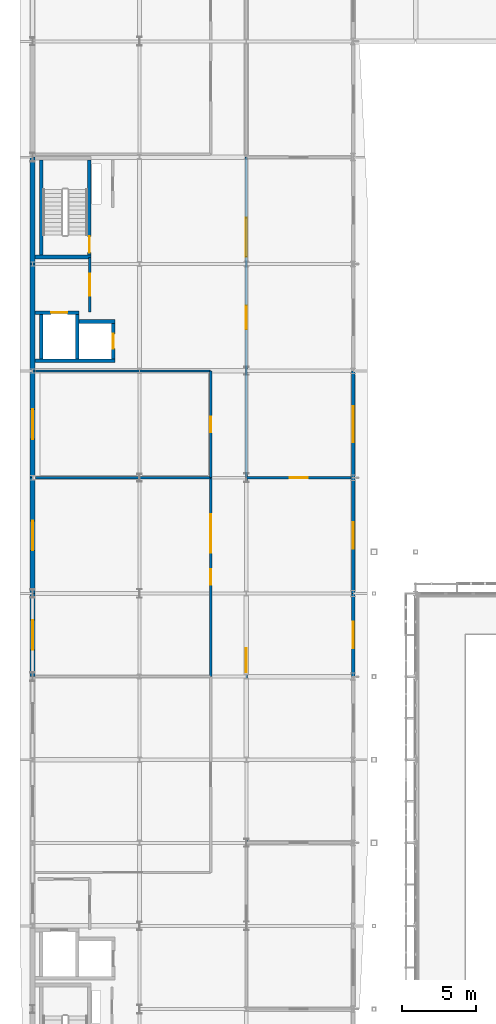
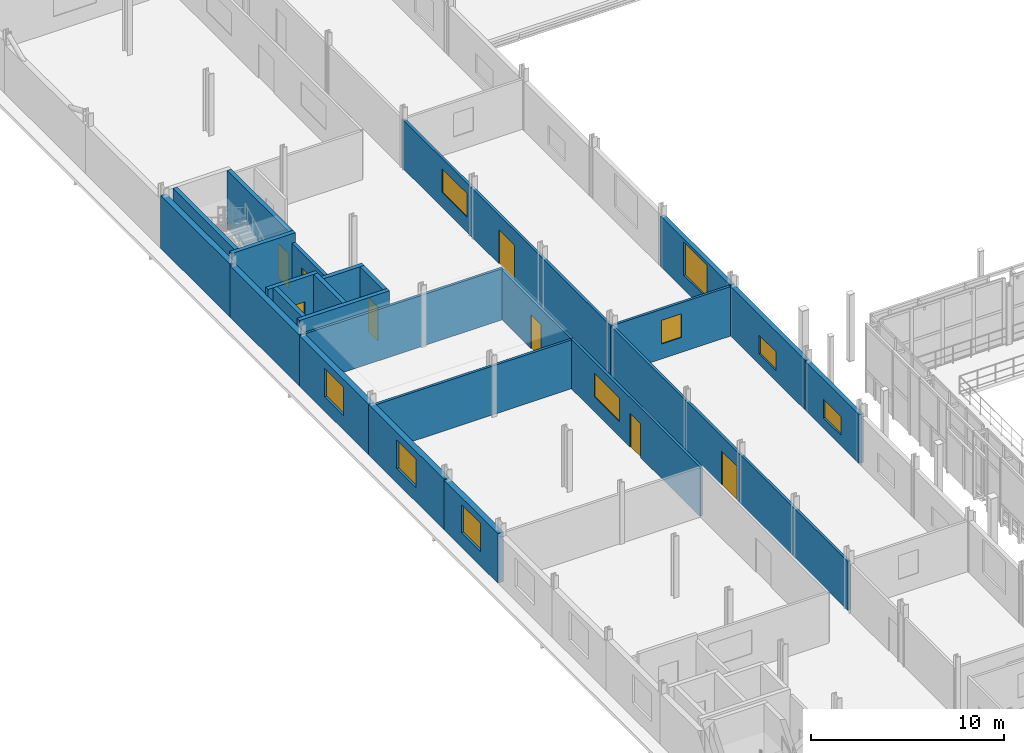
# One storey, part 63 of 78: 25 walls, 9 windows, 8 doors, 17 openings.
"""IFC4 building model written with IfcOpenShell, lengths in metres."""

from ifc_helpers import new_model, si_unit, direction, frame, frame_2d, origin, place, context, subcontext, project, spatial, rectangle, extrude, material, layer, layer_set, type_object, element, fill, save


model = new_model("IFC4")

# Units and contexts
model_context = context("Model", 3, precision=1e-05, world=origin(), true_north=direction((0.0, 1.0)))
body_context = subcontext(model_context, "Body", "Model", "MODEL_VIEW")
ifc_project = project(units=[si_unit("LENGTHUNIT", "METRE"), si_unit("AREAUNIT", "SQUARE_METRE"), si_unit("VOLUMEUNIT", "CUBIC_METRE"), si_unit("PLANEANGLEUNIT", "RADIAN"), si_unit("MASSUNIT", "GRAM", prefix="KILO")], contexts=[model_context])

# Site, building, storey
site_placement = place(None, origin())
site = spatial("IfcSite", under=ifc_project, at=site_placement, CompositionType="ELEMENT")
building_placement = place(site_placement, origin())
building = spatial("IfcBuilding", under=site, at=building_placement, Name="Vinh Khe Railworks Police Headquarters", CompositionType="ELEMENT")
storey_placement = place(building_placement, frame((0.0, 0.0, 13.199951171875)))
storey = spatial("IfcBuildingStorey", under=building, at=storey_placement, Name="L03", CompositionType="ELEMENT", Elevation=13.199951171875)

# Walls
ifc_material_1 = material(Name="Concrete C40/50 (B40)", Category="concrete")
ifc_layer_1 = layer(ifc_material_1, 0.25)
ifc_layer_set_1 = layer_set([ifc_layer_1], Name="Concrete C40/50 (B40)")
wall_type_1 = type_object("IfcWallType", Name="Core Shear Wall 250", PredefinedType="SHEAR", material=ifc_layer_set_1)
wall_1_placement = place(storey_placement, frame((0.75, 81.47509765625, 0.0), z_axis=(0.0, 0.0, 1.0), x_axis=(1.0, 0.0, 0.0)))
element("IfcWall", 1, at=wall_1_placement, inside=storey, type_object=wall_type_1, Name="Core C2 STAIR-S Shear Wall (L03)", PredefinedType="SHEAR", context=body_context, shape_type="SweptSolid", body=[
    extrude(rectangle(XDim=3.800048828125, YDim=0.25, at=frame_2d((1.89990234375, 0.0))), origin(), (0.0, 0.0, 1.0), 3.699951171875),
])
wall_2_placement = place(storey_placement, frame((1.175048828125, 81.60009765625, 0.0), z_axis=(0.0, 0.0, 1.0), x_axis=(0.0, 1.0, 0.0)))
element("IfcWall", 2, at=wall_2_placement, inside=storey, type_object=wall_type_1, Name="Core C2 STAIR-W Shear Wall (L03)", PredefinedType="SHEAR", context=body_context, shape_type="SweptSolid", body=[
    extrude(rectangle(XDim=6.39990234375, YDim=0.25, at=frame_2d((3.199951171875, 0.0))), origin(), (0.0, 0.0, 1.0), 3.699951171875),
])

# Wall, opening, door
wall_3_placement = place(storey_placement, frame((4.425048828125, 81.60009765625, 0.0), z_axis=(0.0, 0.0, 1.0), x_axis=(0.0, 1.0, 0.0)))
wall_3 = element("IfcWall", 3, at=wall_3_placement, inside=storey, type_object=wall_type_1, Name="Core C2 STAIR-E Shear Wall (L03)", PredefinedType="SHEAR", context=body_context, shape_type="SweptSolid", body=[
    extrude(rectangle(XDim=6.39990234375, YDim=0.25, at=frame_2d((3.199951171875, 0.0))), origin(), (0.0, 0.0, 1.0), 3.699951171875),
])
opening_1_placement = place(wall_3_placement, frame((0.169921875, 0.0, 0.0)))
opening_1 = element("IfcOpeningElement", 4, at=opening_1_placement, cuts=wall_3, Name="Opening FD-01", PredefinedType="OPENING", context=body_context, shape_type="SweptSolid", body=[
    extrude(rectangle(XDim=1.10009765625, YDim=2.14990234375, at=frame_2d((0.550048828125, 1.074951171875))), frame((0.0, 0.139892578125, 0.0), z_axis=(0.0, -1.0, 0.0), x_axis=(1.0, 0.0, 0.0)), (0.0, 0.0, 1.0), 0.27978515625),
])
ifc_material_2 = material(Name="Painted galvanised steel", Category="steel")
door_type_1 = type_object("IfcDoorType", Name="FD-1100x2150", OperationType="NOTDEFINED", PredefinedType="DOOR", material=ifc_material_2)
door_1_placement = place(opening_1_placement, frame((1.10009765625, 0.0, 0.0), z_axis=(0.0, 0.0, 1.0), x_axis=(-1.0, 0.0, 0.0)))
door_1 = element("IfcDoor", 5, at=door_1_placement, inside=storey, type_object=door_type_1, Name="Escape Stair ST-02 Fire Door L03", OperationType="SINGLE_SWING_RIGHT", OverallHeight=2.14990234375, OverallWidth=1.10009765625, PredefinedType="DOOR", context=body_context, shape_type="SweptSolid", body=[
    extrude(rectangle(XDim=1.10009765625, YDim=2.14990234375, at=frame_2d((0.550048828125, 1.074951171875))), frame((0.0, 0.02490234375, 0.0), z_axis=(0.0, -1.0, 0.0), x_axis=(1.0, 0.0, 0.0)), (0.0, 0.0, 1.0), 0.050048828125),
])
fill(opening_1, door_1)

# Wall
wall_4_placement = place(storey_placement, frame((0.75, 74.47509765625, 0.0), z_axis=(0.0, 0.0, 1.0), x_axis=(1.0, 0.0, 0.0)))
element("IfcWall", 6, at=wall_4_placement, inside=storey, type_object=wall_type_1, Name="Core C2 FL-S Lift Shaft Wall (L03)", PredefinedType="SHEAR", context=body_context, shape_type="SweptSolid", body=[
    extrude(rectangle(XDim=5.39990234375, YDim=0.25, at=frame_2d((2.699951171875, 0.0))), origin(), (0.0, 0.0, 1.0), 3.699951171875),
])

# Wall, opening, door
wall_5_placement = place(storey_placement, frame((0.75, 77.72509765625, 0.0), z_axis=(0.0, 0.0, 1.0), x_axis=(1.0, 0.0, 0.0)))
wall_5 = element("IfcWall", 7, at=wall_5_placement, inside=storey, type_object=wall_type_1, Name="Core C2 FL-N Lift Shaft Wall (L03)", PredefinedType="SHEAR", context=body_context, shape_type="SweptSolid", body=[
    extrude(rectangle(XDim=2.97509765625, YDim=0.25, at=frame_2d((1.487548828125, 0.0))), origin(), (0.0, 0.0, 1.0), 3.699951171875),
])
opening_2_placement = place(wall_5_placement, frame((1.10009765625, 0.0, 0.0)))
opening_2 = element("IfcOpeningElement", 8, at=opening_2_placement, cuts=wall_5, Name="Opening LD-01", PredefinedType="OPENING", context=body_context, shape_type="SweptSolid", body=[
    extrude(rectangle(XDim=1.10009765625, YDim=2.14990234375, at=frame_2d((0.550048828125, 1.074951171875))), frame((0.0, 0.139892578125, 0.0), z_axis=(0.0, -1.0, 0.0), x_axis=(1.0, 0.0, 0.0)), (0.0, 0.0, 1.0), 0.27978515625),
])
door_type_2 = type_object("IfcDoorType", Name="LD-FF-1100", OperationType="SLIDING_TO_LEFT", PredefinedType="DOOR", material=ifc_material_2)
door_2_placement = place(opening_2_placement, origin())
door_2 = element("IfcDoor", 9, at=door_2_placement, inside=storey, type_object=door_type_2, Name="Firefighting Lift Landing Door FL-02 L03", OperationType="SLIDING_TO_LEFT", OverallHeight=2.14990234375, OverallWidth=1.10009765625, PredefinedType="DOOR", context=body_context, shape_type="SweptSolid", body=[
    extrude(rectangle(XDim=1.10009765625, YDim=2.14990234375, at=frame_2d((0.550048828125, 1.074951171875))), frame((0.0, 0.02490234375, 0.0), z_axis=(0.0, -1.0, 0.0), x_axis=(1.0, 0.0, 0.0)), (0.0, 0.0, 1.0), 0.050048828125),
])
fill(opening_2, door_2)

# Walls
wall_6_placement = place(storey_placement, frame((3.72509765625, 77.125, 0.0), z_axis=(0.0, 0.0, 1.0), x_axis=(1.0, 0.0, 0.0)))
element("IfcWall", 10, at=wall_6_placement, inside=storey, type_object=wall_type_1, Name="Core C2 PL-N Lift Shaft Wall (L03)", PredefinedType="SHEAR", context=body_context, shape_type="SweptSolid", body=[
    extrude(rectangle(XDim=2.4248046875, YDim=0.25, at=frame_2d((1.21240234375, 0.0))), origin(), (0.0, 0.0, 1.0), 3.699951171875),
])
for number, where, z_axis, x_axis, name in (
    (11, (1.175048828125, 74.60009765625, 0.0), (0.0, 0.0, 1.0), (0.0, 1.0, 0.0), "Core C2 FL-W Lift Shaft Wall (L03)"),
    (12, (3.60009765625, 74.60009765625, 0.0), (0.0, 0.0, 1.0), (0.0, 1.0, 0.0), "Core C2 LIFT-DIV Lift Shaft Wall (L03)"),
):
    element("IfcWall", number, at=place(storey_placement, frame(where, z_axis=z_axis, x_axis=x_axis)), inside=storey, type_object=wall_type_1, Name=name, PredefinedType="SHEAR", context=body_context, shape_type="SweptSolid", body=[
        extrude(rectangle(XDim=3.0, YDim=0.25, at=frame_2d((1.5, 0.0))), origin(), (0.0, 0.0, 1.0), 3.699951171875),
    ])

# Wall, opening, door
wall_7_placement = place(storey_placement, frame((6.02490234375, 74.60009765625, 0.0), z_axis=(0.0, 0.0, 1.0), x_axis=(0.0, 1.0, 0.0)))
wall_7 = element("IfcWall", 13, at=wall_7_placement, inside=storey, type_object=wall_type_1, Name="Core C2 PL-E Lift Shaft Wall (L03)", PredefinedType="SHEAR", context=body_context, shape_type="SweptSolid", body=[
    extrude(rectangle(XDim=2.39990234375, YDim=0.25, at=frame_2d((1.199951171875, 0.0))), origin(), (0.0, 0.0, 1.0), 3.699951171875),
])
opening_3_placement = place(wall_7_placement, frame((0.699951171875, 0.0, 0.0)))
opening_3 = element("IfcOpeningElement", 14, at=opening_3_placement, cuts=wall_7, Name="Opening LD-02", PredefinedType="OPENING", context=body_context, shape_type="SweptSolid", body=[
    extrude(rectangle(XDim=1.0, YDim=2.14990234375, at=frame_2d((0.5, 1.074951171875))), frame((0.0, 0.139892578125, 0.0), z_axis=(0.0, -1.0, 0.0), x_axis=(1.0, 0.0, 0.0)), (0.0, 0.0, 1.0), 0.27978515625),
])
door_type_3 = type_object("IfcDoorType", Name="LD-PAX-1000", OperationType="SLIDING_TO_RIGHT", PredefinedType="DOOR", material=ifc_material_2)
door_3_placement = place(opening_3_placement, frame((1.0, 0.0, 0.0), z_axis=(0.0, 0.0, 1.0), x_axis=(-1.0, 0.0, 0.0)))
door_3 = element("IfcDoor", 15, at=door_3_placement, inside=storey, type_object=door_type_3, Name="Passenger Lift Landing Door PL-02 L03", OperationType="SLIDING_TO_RIGHT", OverallHeight=2.14990234375, OverallWidth=1.0, PredefinedType="DOOR", context=body_context, shape_type="SweptSolid", body=[
    extrude(rectangle(XDim=1.0, YDim=2.14990234375, at=frame_2d((0.5, 1.074951171875))), frame((0.0, 0.02490234375, 0.0), z_axis=(0.0, -1.0, 0.0), x_axis=(1.0, 0.0, 0.0)), (0.0, 0.0, 1.0), 0.050048828125),
])
fill(opening_3, door_3)

# Wall, opening, window
ifc_material_3 = material(Name="Clay brickwork", Category="masonry")
ifc_layer_2 = layer(ifc_material_3, 0.260009765625)
ifc_layer_set_2 = layer_set([ifc_layer_2], Name="Clay brickwork")
wall_type_2 = type_object("IfcWallType", Name="EW-BRK-260", PredefinedType="SOLIDWALL", material=ifc_layer_set_2)
wall_8_placement = place(storey_placement, frame((22.199951171875, 53.199951171875, 0.0), z_axis=(0.0, 0.0, 1.0), x_axis=(0.0, 1.0, 0.0)))
wall_8 = element("IfcWall", 16, at=wall_8_placement, inside=storey, type_object=wall_type_2, Name="Exterior Brick Wall EW-L03-V5E-07", PredefinedType="SOLIDWALL", context=body_context, shape_type="SweptSolid", body=[
    extrude(rectangle(XDim=5.60009765625, YDim=0.260009765625, at=frame_2d((2.800048828125, 0.0))), origin(), (0.0, 0.0, 1.0), 3.094970703125),
])
opening_4_placement = place(wall_8_placement, frame((1.89990234375, 0.0, 0.64990234375)))
opening_4 = element("IfcOpeningElement", 17, at=opening_4_placement, cuts=wall_8, Name="Opening WN-08", PredefinedType="OPENING", context=body_context, shape_type="SweptSolid", body=[
    extrude(rectangle(XDim=1.800048828125, YDim=1.199951171875, at=frame_2d((0.89990234375, 0.60009765625))), frame((0.0, 0.14501953125, 0.0), z_axis=(0.0, -1.0, 0.0), x_axis=(1.0, 0.0, 0.0)), (0.0, 0.0, 1.0), 0.289794921875),
])
ifc_material_4 = material(Name="Double-glazed solar-control glass in dark steel frame", Category="steel")
window_type_1 = type_object("IfcWindowType", Name="WIN-WN-08", PartitioningType="SINGLE_PANEL", PredefinedType="WINDOW", material=ifc_material_4)
window_1_placement = place(opening_4_placement, origin())
window_1 = element("IfcWindow", 18, at=window_1_placement, inside=storey, type_object=window_type_1, Name="Casement Window WN-08", OverallHeight=1.199951171875, OverallWidth=1.800048828125, PartitioningType="SINGLE_PANEL", PredefinedType="WINDOW", context=body_context, shape_type="SweptSolid", body=[
    extrude(rectangle(XDim=1.800048828125, YDim=1.199951171875, at=frame_2d((0.89990234375, 0.60009765625))), frame((0.0, 0.030029296875, 0.0), z_axis=(0.0, -1.0, 0.0), x_axis=(1.0, 0.0, 0.0)), (0.0, 0.0, 1.0), 0.06005859375),
])
fill(opening_4, window_1)

wall_9_placement = place(storey_placement, frame((22.199951171875, 58.800048828125, 0.0), z_axis=(0.0, 0.0, 1.0), x_axis=(0.0, 1.0, 0.0)))
wall_9 = element("IfcWall", 19, at=wall_9_placement, inside=storey, type_object=wall_type_2, Name="Exterior Brick Wall EW-L03-V5E-08", PredefinedType="SOLIDWALL", context=body_context, shape_type="SweptSolid", body=[
    extrude(rectangle(XDim=7.800048828125, YDim=0.260009765625, at=frame_2d((3.89990234375, 0.0))), origin(), (0.0, 0.0, 1.0), 3.14501953125),
])
opening_5_placement = place(wall_9_placement, frame((3.0, 0.0, 0.64990234375)))
opening_5 = element("IfcOpeningElement", 20, at=opening_5_placement, cuts=wall_9, Name="Opening WN-08", PredefinedType="OPENING", context=body_context, shape_type="SweptSolid", body=[
    extrude(rectangle(XDim=1.800048828125, YDim=1.199951171875, at=frame_2d((0.89990234375, 0.60009765625))), frame((0.0, 0.14501953125, 0.0), z_axis=(0.0, -1.0, 0.0), x_axis=(1.0, 0.0, 0.0)), (0.0, 0.0, 1.0), 0.289794921875),
])
window_2_placement = place(opening_5_placement, origin())
window_2 = element("IfcWindow", 21, at=window_2_placement, inside=storey, type_object=window_type_1, Name="Casement Window WN-08", OverallHeight=1.199951171875, OverallWidth=1.800048828125, PartitioningType="SINGLE_PANEL", PredefinedType="WINDOW", context=body_context, shape_type="SweptSolid", body=[
    extrude(rectangle(XDim=1.800048828125, YDim=1.199951171875, at=frame_2d((0.89990234375, 0.60009765625))), frame((0.0, 0.030029296875, 0.0), z_axis=(0.0, -1.0, 0.0), x_axis=(1.0, 0.0, 0.0)), (0.0, 0.0, 1.0), 0.06005859375),
])
fill(opening_5, window_2)

wall_10_placement = place(storey_placement, frame((22.199951171875, 66.60009765625, 0.0), z_axis=(0.0, 0.0, 1.0), x_axis=(0.0, 1.0, 0.0)))
wall_10 = element("IfcWall", 22, at=wall_10_placement, inside=storey, type_object=wall_type_2, Name="Exterior Brick Wall EW-L03-V5E-09", PredefinedType="SOLIDWALL", context=body_context, shape_type="SweptSolid", body=[
    extrude(rectangle(XDim=7.199951171875, YDim=0.260009765625, at=frame_2d((3.60009765625, 0.0))), origin(), (0.0, 0.0, 1.0), 3.195068359375),
])
opening_6_placement = place(wall_10_placement, frame((2.39990234375, 0.0, 0.89990234375)))
opening_6 = element("IfcOpeningElement", 23, at=opening_6_placement, cuts=wall_10, Name="Opening WN-02", PredefinedType="OPENING", context=body_context, shape_type="SweptSolid", body=[
    extrude(rectangle(XDim=2.39990234375, YDim=2.10009765625, at=frame_2d((1.199951171875, 1.050048828125))), frame((0.0, 0.14501953125, 0.0), z_axis=(0.0, -1.0, 0.0), x_axis=(1.0, 0.0, 0.0)), (0.0, 0.0, 1.0), 0.289794921875),
])
window_type_2 = type_object("IfcWindowType", Name="WIN-WN-02", PartitioningType="DOUBLE_PANEL_VERTICAL", PredefinedType="WINDOW", material=ifc_material_4)
window_3_placement = place(opening_6_placement, origin())
window_3 = element("IfcWindow", 24, at=window_3_placement, inside=storey, type_object=window_type_2, Name="Casement Window WN-02", OverallHeight=2.10009765625, OverallWidth=2.39990234375, PartitioningType="SINGLE_PANEL", PredefinedType="WINDOW", context=body_context, shape_type="SweptSolid", body=[
    extrude(rectangle(XDim=2.39990234375, YDim=2.10009765625, at=frame_2d((1.199951171875, 1.050048828125))), frame((0.0, 0.030029296875, 0.0), z_axis=(0.0, -1.0, 0.0), x_axis=(1.0, 0.0, 0.0)), (0.0, 0.0, 1.0), 0.06005859375),
])
fill(opening_6, window_3)

ifc_layer_3 = layer(ifc_material_3, 0.340087890625)
ifc_layer_set_3 = layer_set([ifc_layer_3], Name="Clay brickwork")
wall_type_3 = type_object("IfcWallType", Name="EW-BRK-340", PredefinedType="SOLIDWALL", material=ifc_layer_set_3)
wall_11_placement = place(storey_placement, frame((0.60009765625, 53.199951171875, 0.0), z_axis=(0.0, 0.0, 1.0), x_axis=(0.0, 1.0, 0.0)))
wall_11 = element("IfcWall", 25, at=wall_11_placement, inside=storey, type_object=wall_type_3, Name="Exterior Brick Wall EW-L03-V5W-07", PredefinedType="SOLIDWALL", context=body_context, shape_type="SweptSolid", body=[
    extrude(rectangle(XDim=5.60009765625, YDim=0.340087890625, at=frame_2d((2.800048828125, 0.0))), origin(), (0.0, 0.0, 1.0), 3.14501953125),
])
opening_7_placement = place(wall_11_placement, frame((1.800048828125, 0.0, 0.89990234375)))
opening_7 = element("IfcOpeningElement", 26, at=opening_7_placement, cuts=wall_11, Name="Opening WN-04", PredefinedType="OPENING", context=body_context, shape_type="SweptSolid", body=[
    extrude(rectangle(XDim=2.0, YDim=1.800048828125, at=frame_2d((1.0, 0.89990234375))), frame((0.0, 0.18505859375, 0.0), z_axis=(0.0, -1.0, 0.0), x_axis=(1.0, 0.0, 0.0)), (0.0, 0.0, 1.0), 0.369873046875),
])
window_type_3 = type_object("IfcWindowType", Name="WIN-WN-04", PartitioningType="DOUBLE_PANEL_VERTICAL", PredefinedType="WINDOW", material=ifc_material_4)
window_4_placement = place(opening_7_placement, origin())
window_4 = element("IfcWindow", 27, at=window_4_placement, inside=storey, type_object=window_type_3, Name="Casement Window WN-04", OverallHeight=1.800048828125, OverallWidth=2.0, PartitioningType="SINGLE_PANEL", PredefinedType="WINDOW", context=body_context, shape_type="SweptSolid", body=[
    extrude(rectangle(XDim=2.0, YDim=1.800048828125, at=frame_2d((1.0, 0.89990234375))), frame((0.0, 0.030029296875, 0.0), z_axis=(0.0, -1.0, 0.0), x_axis=(1.0, 0.0, 0.0)), (0.0, 0.0, 1.0), 0.06005859375),
])
fill(opening_7, window_4)

wall_12_placement = place(storey_placement, frame((0.60009765625, 58.800048828125, 0.0), z_axis=(0.0, 0.0, 1.0), x_axis=(0.0, 1.0, 0.0)))
wall_12 = element("IfcWall", 28, at=wall_12_placement, inside=storey, type_object=wall_type_3, Name="Exterior Brick Wall EW-L03-V5W-08", PredefinedType="SOLIDWALL", context=body_context, shape_type="SweptSolid", body=[
    extrude(rectangle(XDim=7.800048828125, YDim=0.340087890625, at=frame_2d((3.89990234375, 0.0))), origin(), (0.0, 0.0, 1.0), 3.195068359375),
])
opening_8_placement = place(wall_12_placement, frame((2.89990234375, 0.0, 0.89990234375)))
opening_8 = element("IfcOpeningElement", 29, at=opening_8_placement, cuts=wall_12, Name="Opening WN-04", PredefinedType="OPENING", context=body_context, shape_type="SweptSolid", body=[
    extrude(rectangle(XDim=2.0, YDim=1.800048828125, at=frame_2d((1.0, 0.89990234375))), frame((0.0, 0.18505859375, 0.0), z_axis=(0.0, -1.0, 0.0), x_axis=(1.0, 0.0, 0.0)), (0.0, 0.0, 1.0), 0.369873046875),
])
window_5_placement = place(opening_8_placement, origin())
window_5 = element("IfcWindow", 30, at=window_5_placement, inside=storey, type_object=window_type_3, Name="Casement Window WN-04", OverallHeight=1.800048828125, OverallWidth=2.0, PartitioningType="SINGLE_PANEL", PredefinedType="WINDOW", context=body_context, shape_type="SweptSolid", body=[
    extrude(rectangle(XDim=2.0, YDim=1.800048828125, at=frame_2d((1.0, 0.89990234375))), frame((0.0, 0.030029296875, 0.0), z_axis=(0.0, -1.0, 0.0), x_axis=(1.0, 0.0, 0.0)), (0.0, 0.0, 1.0), 0.06005859375),
])
fill(opening_8, window_5)

wall_13_placement = place(storey_placement, frame((0.60009765625, 66.60009765625, 0.0), z_axis=(0.0, 0.0, 1.0), x_axis=(0.0, 1.0, 0.0)))
wall_13 = element("IfcWall", 31, at=wall_13_placement, inside=storey, type_object=wall_type_3, Name="Exterior Brick Wall EW-L03-V5W-09", PredefinedType="SOLIDWALL", context=body_context, shape_type="SweptSolid", body=[
    extrude(rectangle(XDim=7.199951171875, YDim=0.340087890625, at=frame_2d((3.60009765625, 0.0))), origin(), (0.0, 0.0, 1.0), 3.195068359375),
])
opening_9_placement = place(wall_13_placement, frame((2.60009765625, 0.0, 0.89990234375)))
opening_9 = element("IfcOpeningElement", 32, at=opening_9_placement, cuts=wall_13, Name="Opening WN-04", PredefinedType="OPENING", context=body_context, shape_type="SweptSolid", body=[
    extrude(rectangle(XDim=2.0, YDim=1.800048828125, at=frame_2d((1.0, 0.89990234375))), frame((0.0, 0.18505859375, 0.0), z_axis=(0.0, -1.0, 0.0), x_axis=(1.0, 0.0, 0.0)), (0.0, 0.0, 1.0), 0.369873046875),
])
window_6_placement = place(opening_9_placement, origin())
window_6 = element("IfcWindow", 33, at=window_6_placement, inside=storey, type_object=window_type_3, Name="Casement Window WN-04", OverallHeight=1.800048828125, OverallWidth=2.0, PartitioningType="SINGLE_PANEL", PredefinedType="WINDOW", context=body_context, shape_type="SweptSolid", body=[
    extrude(rectangle(XDim=2.0, YDim=1.800048828125, at=frame_2d((1.0, 0.89990234375))), frame((0.0, 0.030029296875, 0.0), z_axis=(0.0, -1.0, 0.0), x_axis=(1.0, 0.0, 0.0)), (0.0, 0.0, 1.0), 0.06005859375),
])
fill(opening_9, window_6)

# Walls
wall_14_placement = place(storey_placement, frame((0.60009765625, 73.800048828125, 0.0), z_axis=(0.0, 0.0, 1.0), x_axis=(0.0, 1.0, 0.0)))
element("IfcWall", 34, at=wall_14_placement, inside=storey, type_object=wall_type_3, Name="Exterior Brick Wall EW-L03-V5W-10", PredefinedType="SOLIDWALL", context=body_context, shape_type="SweptSolid", body=[
    extrude(rectangle(XDim=7.199951171875, YDim=0.340087890625, at=frame_2d((3.60009765625, 0.0))), origin(), (0.0, 0.0, 1.0), 3.2451171875),
])
wall_15_placement = place(storey_placement, frame((0.60009765625, 81.0, 0.0), z_axis=(0.0, 0.0, 1.0), x_axis=(0.0, 1.0, 0.0)))
element("IfcWall", 35, at=wall_15_placement, inside=storey, type_object=wall_type_3, Name="Exterior Brick Wall EW-L03-V5W-11", PredefinedType="SOLIDWALL", context=body_context, shape_type="SweptSolid", body=[
    extrude(rectangle(XDim=7.199951171875, YDim=0.340087890625, at=frame_2d((3.60009765625, 0.0))), origin(), (0.0, 0.0, 1.0), 3.344970703125),
])

# Wall, opening, door
ifc_material_5 = material(Name="Autoclaved aerated concrete blockwork", Category="masonry")
ifc_layer_4 = layer(ifc_material_5, 0.199951171875)
ifc_layer_set_4 = layer_set([ifc_layer_4], Name="Autoclaved aerated concrete blockwork")
wall_type_4 = type_object("IfcWallType", Name="IW-BLK-200", PredefinedType="PARTITIONING", material=ifc_layer_set_4)
wall_16_placement = place(storey_placement, frame((4.449951171875, 77.75, 0.0), z_axis=(0.0, 0.0, 1.0), x_axis=(0.0, 1.0, 0.0)))
wall_16 = element("IfcWall", 36, at=wall_16_placement, inside=storey, type_object=wall_type_4, Name="Interior Partition W-FFL-C2-E-L03", PredefinedType="PARTITIONING", context=body_context, shape_type="SweptSolid", body=[
    extrude(rectangle(XDim=3.699951171875, YDim=0.199951171875, at=frame_2d((1.85009765625, 0.0))), origin(), (0.0, 0.0, 1.0), 3.094970703125),
])
opening_10_placement = place(wall_16_placement, frame((1.10009765625, 0.0, 0.0)))
opening_10 = element("IfcOpeningElement", 37, at=opening_10_placement, cuts=wall_16, Name="Opening FD-02", PredefinedType="OPENING", context=body_context, shape_type="SweptSolid", body=[
    extrude(rectangle(XDim=1.5, YDim=2.14990234375, at=frame_2d((0.75, 1.074951171875))), frame((0.0, 0.11474609375, 0.0), z_axis=(0.0, -1.0, 0.0), x_axis=(1.0, 0.0, 0.0)), (0.0, 0.0, 1.0), 0.229736328125),
])
door_type_4 = type_object("IfcDoorType", Name="FD-1500x2150", OperationType="DOUBLE_DOOR_SINGLE_SWING", PredefinedType="DOOR", material=ifc_material_2)
door_4_placement = place(opening_10_placement, origin())
door_4 = element("IfcDoor", 38, at=door_4_placement, inside=storey, type_object=door_type_4, Name="Firefighting Lobby Fire Door", OperationType="DOUBLE_DOOR_SINGLE_SWING", OverallHeight=2.14990234375, OverallWidth=1.5, PredefinedType="DOOR", context=body_context, shape_type="SweptSolid", body=[
    extrude(rectangle(XDim=1.5, YDim=2.14990234375, at=frame_2d((0.75, 1.074951171875))), frame((0.0, 0.02490234375, 0.0), z_axis=(0.0, -1.0, 0.0), x_axis=(1.0, 0.0, 0.0)), (0.0, 0.0, 1.0), 0.050048828125),
])
fill(opening_10, door_4)

# Walls
ifc_material_6 = material(Name="Gypsum plasterboard on steel stud", Category="steel")
ifc_layer_5 = layer(ifc_material_6, 0.1201171875)
ifc_layer_set_5 = layer_set([ifc_layer_5], Name="Gypsum plasterboard on steel stud")
wall_type_5 = type_object("IfcWallType", Name="IW-PART-120", PredefinedType="PARTITIONING", material=ifc_layer_set_5)
wall_17_placement = place(storey_placement, frame((0.780029296875, 66.60009765625, 0.0), z_axis=(0.0, 0.0, 1.0), x_axis=(1.0, 0.0, 0.0)))
element("IfcWall", 39, at=wall_17_placement, inside=storey, type_object=wall_type_5, Name="Interior Partition W-L03-V5-INV3D-DIV", PredefinedType="PARTITIONING", context=body_context, shape_type="SweptSolid", body=[
    extrude(rectangle(XDim=11.820068359375, YDim=0.14990234375, at=frame_2d((5.91015625, 0.0))), origin(), (0.0, 0.0, 1.0), 3.094970703125),
])
wall_18_placement = place(storey_placement, frame((0.780029296875, 73.800048828125, 0.0), z_axis=(0.0, 0.0, 1.0), x_axis=(1.0, 0.0, 0.0)))
element("IfcWall", 40, at=wall_18_placement, inside=storey, type_object=wall_type_5, Name="Interior Partition W-L03-V5-INV3D-ENDN", PredefinedType="PARTITIONING", context=body_context, shape_type="SweptSolid", body=[
    extrude(rectangle(XDim=11.820068359375, YDim=0.14990234375, at=frame_2d((5.91015625, 0.0))), origin(), (0.0, 0.0, 1.0), 3.2451171875),
])

# Wall, opening, window
wall_19_placement = place(storey_placement, frame((15.0, 66.60009765625, 0.0), z_axis=(0.0, 0.0, 1.0), x_axis=(1.0, 0.0, 0.0)))
wall_19 = element("IfcWall", 41, at=wall_19_placement, inside=storey, type_object=wall_type_5, Name="Interior Partition W-L03-V5-VER3-DIV", PredefinedType="PARTITIONING", context=body_context, shape_type="SweptSolid", body=[
    extrude(rectangle(XDim=7.06005859375, YDim=0.14990234375, at=frame_2d((3.530029296875, 0.0))), origin(), (0.0, 0.0, 1.0), 3.14501953125),
])
opening_11_placement = place(wall_19_placement, frame((2.929931640625, 0.0, 0.949951171875)))
opening_11 = element("IfcOpeningElement", 42, at=opening_11_placement, cuts=wall_19, Name="Opening WN-10", PredefinedType="OPENING", context=body_context, shape_type="SweptSolid", body=[
    extrude(rectangle(XDim=1.199951171875, YDim=1.5, at=frame_2d((0.60009765625, 0.75))), frame((0.0, 0.08984375, 0.0), z_axis=(0.0, -1.0, 0.0), x_axis=(1.0, 0.0, 0.0)), (0.0, 0.0, 1.0), 0.1796875),
])
window_type_4 = type_object("IfcWindowType", Name="WIN-WN-10", PartitioningType="SINGLE_PANEL", PredefinedType="WINDOW", material=ifc_material_4)
window_7_placement = place(opening_11_placement, origin())
window_7 = element("IfcWindow", 43, at=window_7_placement, inside=storey, type_object=window_type_4, Name="Interior Acoustic Vision Window WN-10", OverallHeight=1.5, OverallWidth=1.199951171875, PartitioningType="SINGLE_PANEL", PredefinedType="WINDOW", context=body_context, shape_type="SweptSolid", body=[
    extrude(rectangle(XDim=1.199951171875, YDim=1.5, at=frame_2d((0.60009765625, 0.75))), frame((0.0, 0.030029296875, 0.0), z_axis=(0.0, -1.0, 0.0), x_axis=(1.0, 0.0, 0.0)), (0.0, 0.0, 1.0), 0.06005859375),
])
fill(opening_11, window_7)

# Wall, openings, door, window
ifc_material_7 = material(Name="Gypsum plasterboard on acoustic steel stud", Category="steel")
ifc_layer_6 = layer(ifc_material_7, 0.14990234375)
ifc_layer_set_6 = layer_set([ifc_layer_6], Name="Gypsum plasterboard on acoustic steel stud")
wall_type_6 = type_object("IfcWallType", Name="IW-PART-150", PredefinedType="PARTITIONING", material=ifc_layer_set_6)
wall_20_placement = place(storey_placement, frame((12.60009765625, 53.199951171875, 0.0), z_axis=(0.0, 0.0, 1.0), x_axis=(0.0, 1.0, 0.0)))
wall_20 = element("IfcWall", 44, at=wall_20_placement, inside=storey, type_object=wall_type_6, Name="Interior Partition W-L03-V5-INV3C-CW", PredefinedType="PARTITIONING", context=body_context, shape_type="SweptSolid", body=[
    extrude(rectangle(XDim=13.400146484375, YDim=0.14990234375, at=frame_2d((6.7001953125, 0.0))), origin(), (0.0, 0.0, 1.0), 3.14501953125),
])
opening_12_placement = place(wall_20_placement, frame((6.175048828125, 0.0, 0.0)))
opening_12 = element("IfcOpeningElement", 45, at=opening_12_placement, cuts=wall_20, Name="Opening D-02", PredefinedType="OPENING", context=body_context, shape_type="SweptSolid", body=[
    extrude(rectangle(XDim=1.050048828125, YDim=2.14990234375, at=frame_2d((0.52490234375, 1.074951171875))), frame((0.0, 0.08984375, 0.0), z_axis=(0.0, -1.0, 0.0), x_axis=(1.0, 0.0, 0.0)), (0.0, 0.0, 1.0), 0.1796875),
])
opening_13_placement = place(wall_20_placement, frame((8.347900390625, 0.0, 0.949951171875)))
opening_13 = element("IfcOpeningElement", 46, at=opening_13_placement, cuts=wall_20, Name="Opening WN-07", PredefinedType="OPENING", context=body_context, shape_type="SweptSolid", body=[
    extrude(rectangle(XDim=2.60009765625, YDim=1.5, at=frame_2d((1.300048828125, 0.75))), frame((0.0, 0.08984375, 0.0), z_axis=(0.0, -1.0, 0.0), x_axis=(1.0, 0.0, 0.0)), (0.0, 0.0, 1.0), 0.1796875),
])
ifc_material_8 = material(Name="Seasoned hardwood timber", Category="wood")
door_type_5 = type_object("IfcDoorType", Name="ID-1050x2150", OperationType="NOTDEFINED", PredefinedType="DOOR", material=ifc_material_8)
door_5_placement = place(opening_12_placement, origin())
door_5 = element("IfcDoor", 47, at=door_5_placement, inside=storey, type_object=door_type_5, Name="Missing Persons Investigation Office Door", OperationType="SINGLE_SWING_RIGHT", OverallHeight=2.14990234375, OverallWidth=1.050048828125, PredefinedType="DOOR", context=body_context, shape_type="SweptSolid", body=[
    extrude(rectangle(XDim=1.050048828125, YDim=2.14990234375, at=frame_2d((0.52490234375, 1.074951171875))), frame((0.0, 0.02490234375, 0.0), z_axis=(0.0, -1.0, 0.0), x_axis=(1.0, 0.0, 0.0)), (0.0, 0.0, 1.0), 0.050048828125),
])
fill(opening_12, door_5)
window_type_5 = type_object("IfcWindowType", Name="WIN-WN-07", PartitioningType="DOUBLE_PANEL_HORIZONTAL", PredefinedType="WINDOW", material=ifc_material_4)
window_8_placement = place(opening_13_placement, origin())
window_8 = element("IfcWindow", 48, at=window_8_placement, inside=storey, type_object=window_type_5, Name="Interior Acoustic Vision Window WN-07", OverallHeight=1.5, OverallWidth=2.60009765625, PartitioningType="SINGLE_PANEL", PredefinedType="WINDOW", context=body_context, shape_type="SweptSolid", body=[
    extrude(rectangle(XDim=2.60009765625, YDim=1.5, at=frame_2d((1.300048828125, 0.75))), frame((0.0, 0.030029296875, 0.0), z_axis=(0.0, -1.0, 0.0), x_axis=(1.0, 0.0, 0.0)), (0.0, 0.0, 1.0), 0.06005859375),
])
fill(opening_13, window_8)

# Wall, opening, door
wall_21_placement = place(storey_placement, frame((12.60009765625, 66.60009765625, 0.0), z_axis=(0.0, 0.0, 1.0), x_axis=(0.0, 1.0, 0.0)))
wall_21 = element("IfcWall", 49, at=wall_21_placement, inside=storey, type_object=wall_type_6, Name="Interior Partition W-L03-V5-INV3D-CW", PredefinedType="PARTITIONING", context=body_context, shape_type="SweptSolid", body=[
    extrude(rectangle(XDim=7.199951171875, YDim=0.14990234375, at=frame_2d((3.60009765625, 0.0))), origin(), (0.0, 0.0, 1.0), 3.14501953125),
])
opening_14_placement = place(wall_21_placement, frame((3.074951171875, 0.0, 0.0)))
opening_14 = element("IfcOpeningElement", 50, at=opening_14_placement, cuts=wall_21, Name="Opening D-02", PredefinedType="OPENING", context=body_context, shape_type="SweptSolid", body=[
    extrude(rectangle(XDim=1.050048828125, YDim=2.14990234375, at=frame_2d((0.52490234375, 1.074951171875))), frame((0.0, 0.08984375, 0.0), z_axis=(0.0, -1.0, 0.0), x_axis=(1.0, 0.0, 0.0)), (0.0, 0.0, 1.0), 0.1796875),
])
door_6_placement = place(opening_14_placement, origin())
door_6 = element("IfcDoor", 51, at=door_6_placement, inside=storey, type_object=door_type_5, Name="Forensic Liaison Office Door", OperationType="SINGLE_SWING_LEFT", OverallHeight=2.14990234375, OverallWidth=1.050048828125, PredefinedType="DOOR", context=body_context, shape_type="SweptSolid", body=[
    extrude(rectangle(XDim=1.050048828125, YDim=2.14990234375, at=frame_2d((0.52490234375, 1.074951171875))), frame((0.0, 0.02490234375, 0.0), z_axis=(0.0, -1.0, 0.0), x_axis=(1.0, 0.0, 0.0)), (0.0, 0.0, 1.0), 0.050048828125),
])
fill(opening_14, door_6)

wall_22_placement = place(storey_placement, frame((15.0, 42.0, 0.0), z_axis=(0.0, 0.0, 1.0), x_axis=(0.0, 1.0, 0.0)))
wall_22 = element("IfcWall", 52, at=wall_22_placement, inside=storey, type_object=wall_type_6, Name="Interior Partition W-L03-V5-CELLO3-CE", PredefinedType="PARTITIONING", context=body_context, shape_type="SweptSolid", body=[
    extrude(rectangle(XDim=24.60009765625, YDim=0.14990234375, at=frame_2d((12.300048828125, 0.0))), origin(), (0.0, 0.0, 1.0), 3.094970703125),
])
opening_15_placement = place(wall_22_placement, frame((11.5, 0.0, 0.0)))
opening_15 = element("IfcOpeningElement", 53, at=opening_15_placement, cuts=wall_22, Name="Opening D-03", PredefinedType="OPENING", context=body_context, shape_type="SweptSolid", body=[
    extrude(rectangle(XDim=1.60009765625, YDim=2.14990234375, at=frame_2d((0.800048828125, 1.074951171875))), frame((0.0, 0.08984375, 0.0), z_axis=(0.0, -1.0, 0.0), x_axis=(1.0, 0.0, 0.0)), (0.0, 0.0, 1.0), 0.1796875),
])
door_type_6 = type_object("IfcDoorType", Name="ID-1600x2150", OperationType="DOUBLE_DOOR_SINGLE_SWING", PredefinedType="DOOR", material=ifc_material_2)
door_7_placement = place(opening_15_placement, origin())
door_7 = element("IfcDoor", 54, at=door_7_placement, inside=storey, type_object=door_type_6, Name="Case Analysis Workroom Door", OperationType="DOUBLE_DOOR_SINGLE_SWING", OverallHeight=2.14990234375, OverallWidth=1.60009765625, PredefinedType="DOOR", context=body_context, shape_type="SweptSolid", body=[
    extrude(rectangle(XDim=1.60009765625, YDim=2.14990234375, at=frame_2d((0.800048828125, 1.074951171875))), frame((0.0, 0.02490234375, 0.0), z_axis=(0.0, -1.0, 0.0), x_axis=(1.0, 0.0, 0.0)), (0.0, 0.0, 1.0), 0.050048828125),
])
fill(opening_15, door_7)

# Wall, openings, door, window
wall_23_placement = place(storey_placement, frame((15.0, 66.60009765625, 0.0), z_axis=(0.0, 0.0, 1.0), x_axis=(0.0, 1.0, 0.0)))
wall_23 = element("IfcWall", 55, at=wall_23_placement, inside=storey, type_object=wall_type_6, Name="Interior Partition W-L03-V5-VER3-CE", PredefinedType="PARTITIONING", context=body_context, shape_type="SweptSolid", body=[
    extrude(rectangle(XDim=21.599853515625, YDim=0.14990234375, at=frame_2d((10.7998046875, 0.0))), origin(), (0.0, 0.0, 1.0), 3.094970703125),
])
opening_16_placement = place(wall_23_placement, frame((10.0, 0.0, 0.0)))
opening_16 = element("IfcOpeningElement", 56, at=opening_16_placement, cuts=wall_23, Name="Opening D-03", PredefinedType="OPENING", context=body_context, shape_type="SweptSolid", body=[
    extrude(rectangle(XDim=1.60009765625, YDim=2.14990234375, at=frame_2d((0.800048828125, 1.074951171875))), frame((0.0, 0.08984375, 0.0), z_axis=(0.0, -1.0, 0.0), x_axis=(1.0, 0.0, 0.0)), (0.0, 0.0, 1.0), 0.1796875),
])
opening_17_placement = place(wall_23_placement, frame((14.89990234375, 0.0, 0.949951171875)))
opening_17 = element("IfcOpeningElement", 57, at=opening_17_placement, cuts=wall_23, Name="Opening WN-07", PredefinedType="OPENING", context=body_context, shape_type="SweptSolid", body=[
    extrude(rectangle(XDim=2.60009765625, YDim=1.5, at=frame_2d((1.300048828125, 0.75))), frame((0.0, 0.08984375, 0.0), z_axis=(0.0, -1.0, 0.0), x_axis=(1.0, 0.0, 0.0)), (0.0, 0.0, 1.0), 0.1796875),
])
door_8_placement = place(opening_16_placement, origin())
door_8 = element("IfcDoor", 58, at=door_8_placement, inside=storey, type_object=door_type_6, Name="Monsoon Court Veranda Lounge L03 Door", OperationType="DOUBLE_DOOR_SINGLE_SWING", OverallHeight=2.14990234375, OverallWidth=1.60009765625, PredefinedType="DOOR", context=body_context, shape_type="SweptSolid", body=[
    extrude(rectangle(XDim=1.60009765625, YDim=2.14990234375, at=frame_2d((0.800048828125, 1.074951171875))), frame((0.0, 0.02490234375, 0.0), z_axis=(0.0, -1.0, 0.0), x_axis=(1.0, 0.0, 0.0)), (0.0, 0.0, 1.0), 0.050048828125),
])
fill(opening_16, door_8)
window_9_placement = place(opening_17_placement, origin())
window_9 = element("IfcWindow", 59, at=window_9_placement, inside=storey, type_object=window_type_5, Name="Interior Acoustic Vision Window WN-07", OverallHeight=1.5, OverallWidth=2.60009765625, PartitioningType="SINGLE_PANEL", PredefinedType="WINDOW", context=body_context, shape_type="SweptSolid", body=[
    extrude(rectangle(XDim=2.60009765625, YDim=1.5, at=frame_2d((1.300048828125, 0.75))), frame((0.0, 0.030029296875, 0.0), z_axis=(0.0, -1.0, 0.0), x_axis=(1.0, 0.0, 0.0)), (0.0, 0.0, 1.0), 0.06005859375),
])
fill(opening_17, window_9)

save(model, "model.ifc")
